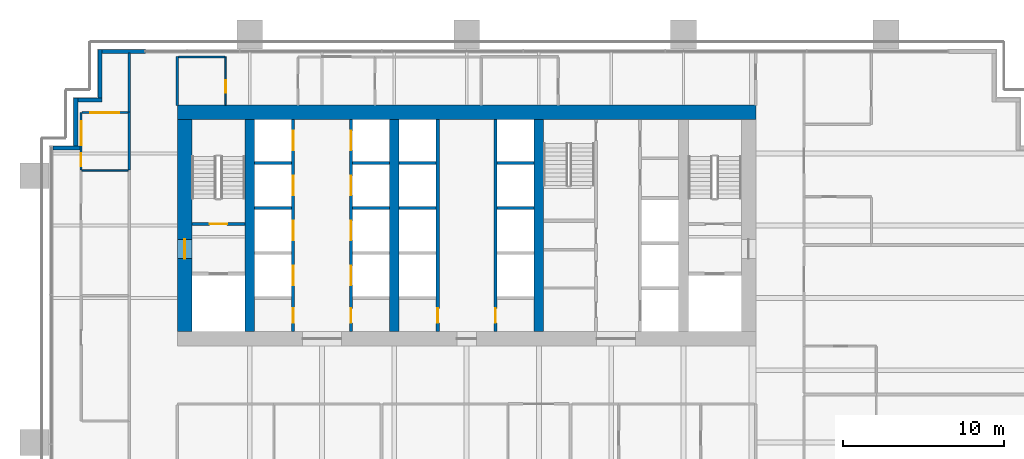
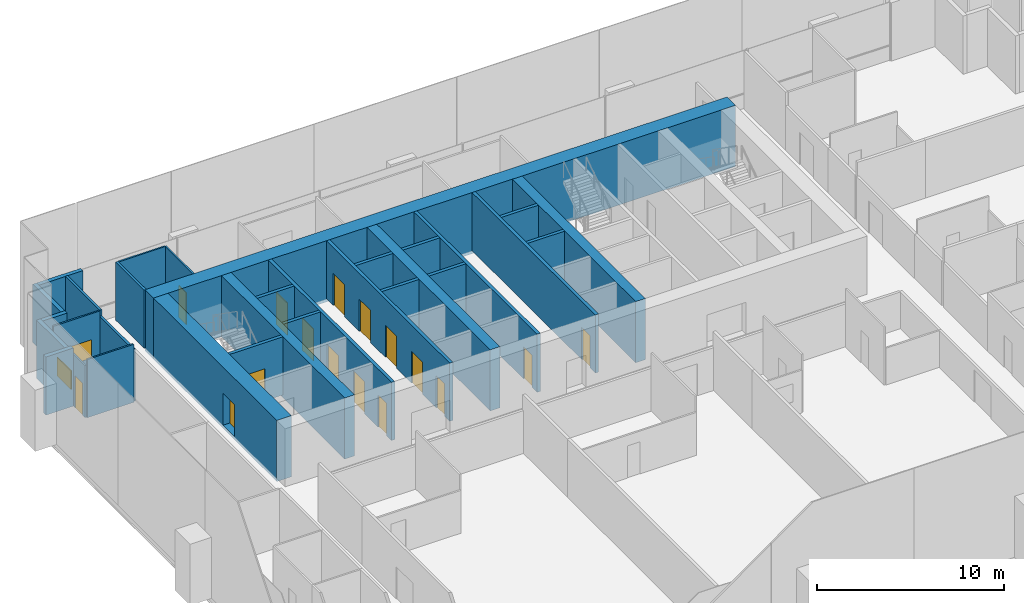
# One storey, part 14 of 19: 31 walls, 16 doors, 2 windows, 18 openings.
"""IFC4 building model written with IfcOpenShell, lengths in metres."""

from ifc_helpers import new_model, si_unit, direction, frame, frame_2d, origin, place, context, subcontext, project, spatial, rectangle, extrude, material, layer, layer_set, type_object, element, fill, save


model = new_model("IFC4")

# Units and contexts
model_context = context("Model", 3, precision=1e-05, world=origin(), true_north=direction((0.0, 1.0)))
body_context = subcontext(model_context, "Body", "Model", "MODEL_VIEW")
ifc_project = project(units=[si_unit("LENGTHUNIT", "METRE"), si_unit("AREAUNIT", "SQUARE_METRE"), si_unit("VOLUMEUNIT", "CUBIC_METRE"), si_unit("PLANEANGLEUNIT", "RADIAN"), si_unit("MASSUNIT", "GRAM", prefix="KILO")], contexts=[model_context])

# Site, building, storey
site_placement = place(None, origin())
site = spatial("IfcSite", under=ifc_project, at=site_placement, CompositionType="ELEMENT")
building_placement = place(site_placement, origin())
building = spatial("IfcBuilding", under=site, at=building_placement, Name="Rattan Terrace Tower", CompositionType="ELEMENT")
storey_placement = place(building_placement, frame((0.0, 0.0, 103.699951171875)))
storey = spatial("IfcBuildingStorey", under=building, at=storey_placement, Name="L23", CompositionType="ELEMENT", Elevation=103.699951171875)

# Wall, opening, door
ifc_material_1 = material(Name="Gypsum board partition")
ifc_layer_1 = layer(ifc_material_1, 0.199951171875)
ifc_layer_set_1 = layer_set([ifc_layer_1], Name="Core partition 200")
wall_type_1 = type_object("IfcWallType", Name="Core partition 200", PredefinedType="PARTITIONING", material=ifc_layer_set_1)
wall_1_placement = place(storey_placement, frame((-17.10009765625, 0.10009765625, 0.0), z_axis=(0.0, 0.0, 1.0), x_axis=(1.0, 0.0, 0.0)))
wall_1 = element("IfcWall", 1, at=wall_1_placement, inside=storey, type_object=wall_type_1, Name="Stair enclosure wall", PredefinedType="PARTITIONING", context=body_context, shape_type="SweptSolid", body=[
    extrude(rectangle(XDim=3.300048828125, YDim=0.199951171875, at=frame_2d((1.64990234375, 0.0))), origin(), (0.0, 0.0, 1.0), 3.800048828125),
])
opening_1_placement = place(wall_1_placement, frame((1.10009765625, 0.0, 0.0)))
opening_1 = element("IfcOpeningElement", 2, at=opening_1_placement, cuts=wall_1, Name="Opening L23-D002", PredefinedType="OPENING", context=body_context, shape_type="SweptSolid", body=[
    extrude(rectangle(XDim=1.10009765625, YDim=2.10009765625, at=frame_2d((0.550048828125, 1.050048828125))), frame((0.0, 0.110595703125, 0.0), z_axis=(0.0, -1.0, 0.0), x_axis=(1.0, 0.0, 0.0)), (0.0, 0.0, 1.0), 0.220947265625),
])
ifc_material_2 = material(Name="Hollow-metal fire door leaf")
door_type_1 = type_object("IfcDoorType", Name="Core stair door 1100", OperationType="NOTDEFINED", PredefinedType="DOOR", material=ifc_material_2)
door_1_placement = place(opening_1_placement, origin())
door_1 = element("IfcDoor", 3, at=door_1_placement, inside=storey, type_object=door_type_1, Name="Door L23-D002", OperationType="SINGLE_SWING_RIGHT", OverallHeight=2.10009765625, OverallWidth=1.10009765625, PredefinedType="DOOR", context=body_context, shape_type="SweptSolid", body=[
    extrude(rectangle(XDim=1.10009765625, YDim=2.10009765625, at=frame_2d((0.550048828125, 1.050048828125))), frame((0.0, 0.02490234375, 0.0), z_axis=(0.0, -1.0, 0.0), x_axis=(1.0, 0.0, 0.0)), (0.0, 0.0, 1.0), 0.050048828125),
])
fill(opening_1, door_1)

# Wall
ifc_material_3 = material(Name="Concrete C70/85", Category="concrete")
ifc_layer_2 = layer(ifc_material_3, 0.89990234375)
ifc_layer_set_2 = layer_set([ifc_layer_2], Name="Core ring wall 900 C70/85")
wall_type_2 = type_object("IfcWallType", Name="Core ring wall 900 C70/85", PredefinedType="SHEAR", material=ifc_layer_set_2)
wall_2_placement = place(storey_placement, frame((-18.0, 7.050048828125, -0.199951171875), z_axis=(0.0, 0.0, 1.0), x_axis=(1.0, 0.0, 0.0)))
element("IfcWall", 4, at=wall_2_placement, inside=storey, type_object=wall_type_2, Name="Rear core wall north", PredefinedType="SHEAR", context=body_context, shape_type="SweptSolid", body=[
    extrude(rectangle(XDim=36.0, YDim=0.89990234375, at=frame_2d((18.0, 0.0))), origin(), (0.0, 0.0, 1.0), 4.0),
])

# Wall, opening, door
wall_3_placement = place(storey_placement, frame((-17.550048828125, -6.60009765625, -0.199951171875), z_axis=(0.0, 0.0, 1.0), x_axis=(0.0, 1.0, 0.0)))
wall_3 = element("IfcWall", 5, at=wall_3_placement, inside=storey, type_object=wall_type_2, Name="Rear core wall west", PredefinedType="SHEAR", context=body_context, shape_type="SweptSolid", body=[
    extrude(rectangle(XDim=13.2001953125, YDim=0.89990234375, at=frame_2d((6.60009765625, 0.0))), origin(), (0.0, 0.0, 1.0), 4.0),
])
opening_2_placement = place(wall_3_placement, frame((4.550048828125, 0.0, 0.199951171875)))
opening_2 = element("IfcOpeningElement", 6, at=opening_2_placement, cuts=wall_3, Name="Opening L23-D001", PredefinedType="OPENING", context=body_context, shape_type="SweptSolid", body=[
    extrude(rectangle(XDim=1.199951171875, YDim=2.10009765625, at=frame_2d((0.60009765625, 1.050048828125))), frame((0.0, 0.46044921875, 0.0), z_axis=(0.0, -1.0, 0.0), x_axis=(1.0, 0.0, 0.0)), (0.0, 0.0, 1.0), 0.9208984375),
])
ifc_material_4 = material(Name="Hollow-metal fire door leaf")
door_type_2 = type_object("IfcDoorType", Name="Core fire-fighting lobby door 1200", OperationType="NOTDEFINED", PredefinedType="DOOR", material=ifc_material_4)
door_2_placement = place(opening_2_placement, origin())
door_2 = element("IfcDoor", 7, at=door_2_placement, inside=storey, type_object=door_type_2, Name="Door L23-D001", OperationType="SINGLE_SWING_LEFT", OverallHeight=2.10009765625, OverallWidth=1.199951171875, PredefinedType="DOOR", context=body_context, shape_type="SweptSolid", body=[
    extrude(rectangle(XDim=1.199951171875, YDim=2.10009765625, at=frame_2d((0.60009765625, 1.050048828125))), frame((0.0, 0.02490234375, 0.0), z_axis=(0.0, -1.0, 0.0), x_axis=(1.0, 0.0, 0.0)), (0.0, 0.0, 1.0), 0.050048828125),
])
fill(opening_2, door_2)

# Walls
ifc_material_5 = material(Name="Concrete C70/85", Category="concrete")
ifc_layer_3 = layer(ifc_material_5, 0.60009765625)
ifc_layer_set_3 = layer_set([ifc_layer_3], Name="Core spine wall 600 C70/85")
wall_type_3 = type_object("IfcWallType", Name="Core spine wall 600 C70/85", PredefinedType="SHEAR", material=ifc_layer_set_3)
for number, where, z_axis, x_axis, name in (
    (8, (-13.5, -6.60009765625, -0.199951171875), (0.0, 0.0, 1.0), (0.0, 1.0, 0.0), "Core spine wall 1"),
    (9, (-4.5, -6.60009765625, -0.199951171875), (0.0, 0.0, 1.0), (0.0, 1.0, 0.0), "Core spine wall 2"),
    (10, (4.5, -6.60009765625, -0.199951171875), (0.0, 0.0, 1.0), (0.0, 1.0, 0.0), "Core spine wall 3"),
):
    element("IfcWall", number, at=place(storey_placement, frame(where, z_axis=z_axis, x_axis=x_axis)), inside=storey, type_object=wall_type_3, Name=name, PredefinedType="SHEAR", context=body_context, shape_type="SweptSolid", body=[
        extrude(rectangle(XDim=13.2001953125, YDim=0.60009765625, at=frame_2d((6.60009765625, 0.0))), origin(), (0.0, 0.0, 1.0), 4.0),
    ])
ifc_material_6 = material(Name="Insulated aluminium-clad stud wall", Category="aluminium")
ifc_layer_4 = layer(ifc_material_6, 0.25)
ifc_layer_set_4 = layer_set([ifc_layer_4], Name="Facade Riser Wall 250")
wall_type_4 = type_object("IfcWallType", Name="Facade Riser Wall 250", PredefinedType="SOLIDWALL", material=ifc_layer_set_4)
wall_4_placement = place(storey_placement, frame((-20.0, 10.830078125, 0.0), z_axis=(0.0, 0.0, 1.0), x_axis=(-1.0, 0.0, 0.0)))
element("IfcWall", 11, at=wall_4_placement, inside=storey, type_object=wall_type_4, Name="Riser wall L23-11", PredefinedType="SOLIDWALL", context=body_context, shape_type="SweptSolid", body=[
    extrude(rectangle(XDim=2.705078125, YDim=0.25, at=frame_2d((1.3525390625, 0.0))), origin(), (0.0, 0.0, 1.0), 3.800048828125),
])
wall_5_placement = place(storey_placement, frame((-22.830078125, 10.955078125, 0.0), z_axis=(0.0, 0.0, 1.0), x_axis=(0.0, -1.0, 0.0)))
element("IfcWall", 12, at=wall_5_placement, inside=storey, type_object=wall_type_4, Name="Riser wall L23-12", PredefinedType="SOLIDWALL", context=body_context, shape_type="SweptSolid", body=[
    extrude(rectangle(XDim=3.0, YDim=0.25, at=frame_2d((1.5, 0.0))), origin(), (0.0, 0.0, 1.0), 3.800048828125),
])
wall_6_placement = place(storey_placement, frame((-22.705078125, 7.830078125, 0.0), z_axis=(0.0, 0.0, 1.0), x_axis=(-1.0, 0.0, 0.0)))
element("IfcWall", 13, at=wall_6_placement, inside=storey, type_object=wall_type_4, Name="Riser wall L23-13", PredefinedType="SOLIDWALL", context=body_context, shape_type="SweptSolid", body=[
    extrude(rectangle(XDim=1.5, YDim=0.25, at=frame_2d((0.75, 0.0))), origin(), (0.0, 0.0, 1.0), 3.800048828125),
])
wall_7_placement = place(storey_placement, frame((-24.330078125, 7.955078125, 0.0), z_axis=(0.0, 0.0, 1.0), x_axis=(0.0, -1.0, 0.0)))
element("IfcWall", 14, at=wall_7_placement, inside=storey, type_object=wall_type_4, Name="Riser wall L23-14", PredefinedType="SOLIDWALL", context=body_context, shape_type="SweptSolid", body=[
    extrude(rectangle(XDim=3.0, YDim=0.25, at=frame_2d((1.5, 0.0))), origin(), (0.0, 0.0, 1.0), 3.800048828125),
])
wall_8_placement = place(storey_placement, frame((-24.050048828125, 4.830078125, 0.0), z_axis=(0.0, 0.0, 1.0), x_axis=(-1.0, 0.0, 0.0)))
element("IfcWall", 15, at=wall_8_placement, inside=storey, type_object=wall_type_4, Name="Riser wall L23-15", PredefinedType="SOLIDWALL", context=body_context, shape_type="SweptSolid", body=[
    extrude(rectangle(XDim=1.699951171875, YDim=0.25, at=frame_2d((0.85009765625, 0.0))), origin(), (0.0, 0.0, 1.0), 3.800048828125),
])

# Wall, openings, door, window
ifc_material_7 = material(Name="Gypsum board partition on steel studs", Category="steel")
ifc_layer_5 = layer(ifc_material_7, 0.10009765625)
ifc_layer_set_5 = layer_set([ifc_layer_5], Name="Floors Partition 100")
wall_type_5 = type_object("IfcWallType", Name="Floors Partition 100", PredefinedType="PARTITIONING", material=ifc_layer_set_5)
wall_9_placement = place(storey_placement, frame((-24.0, 7.0400390625, 0.0), z_axis=(0.0, 0.0, 1.0), x_axis=(0.0, -1.0, 0.0)))
wall_9 = element("IfcWall", 16, at=wall_9_placement, inside=storey, type_object=wall_type_5, Name="pt-L23-039", PredefinedType="PARTITIONING", context=body_context, shape_type="SweptSolid", body=[
    extrude(rectangle(XDim=3.580078125, YDim=0.10009765625, at=frame_2d((1.7900390625, 0.0))), origin(), (0.0, 0.0, 1.0), 3.400146484375),
])
opening_3_placement = place(wall_9_placement, frame((2.530029296875, 0.0, 0.0)))
opening_3 = element("IfcOpeningElement", 17, at=opening_3_placement, cuts=wall_9, Name="Opening L23-D105", PredefinedType="OPENING", context=body_context, shape_type="SweptSolid", body=[
    extrude(rectangle(XDim=0.800048828125, YDim=2.10009765625, at=frame_2d((0.39990234375, 1.050048828125))), frame((0.0, 0.060546875, 0.0), z_axis=(0.0, -1.0, 0.0), x_axis=(1.0, 0.0, 0.0)), (0.0, 0.0, 1.0), 0.12109375),
])
opening_4_placement = place(wall_9_placement, frame((0.5400390625, 0.0, 0.89990234375)))
opening_4 = element("IfcOpeningElement", 18, at=opening_4_placement, cuts=wall_9, Name="Opening L23-W100", PredefinedType="OPENING", context=body_context, shape_type="SweptSolid", body=[
    extrude(rectangle(XDim=1.5, YDim=1.199951171875, at=frame_2d((0.75, 0.60009765625))), frame((0.0, 0.060546875, 0.0), z_axis=(0.0, -1.0, 0.0), x_axis=(1.0, 0.0, 0.0)), (0.0, 0.0, 1.0), 0.12109375),
])
ifc_material_8 = material(Name="Solid core timber door, painted", Category="wood")
door_type_3 = type_object("IfcDoorType", Name="Floors Store Door 800x2100", OperationType="NOTDEFINED", PredefinedType="DOOR", material=ifc_material_8)
door_3_placement = place(opening_3_placement, origin())
door_3 = element("IfcDoor", 19, at=door_3_placement, inside=storey, type_object=door_type_3, Name="d-L23-105", OperationType="SINGLE_SWING_RIGHT", OverallHeight=2.10009765625, OverallWidth=0.800048828125, PredefinedType="DOOR", context=body_context, shape_type="SweptSolid", body=[
    extrude(rectangle(XDim=0.800048828125, YDim=2.10009765625, at=frame_2d((0.39990234375, 1.050048828125))), frame((0.0, 0.02490234375, 0.0), z_axis=(0.0, -1.0, 0.0), x_axis=(1.0, 0.0, 0.0)), (0.0, 0.0, 1.0), 0.050048828125),
])
fill(opening_3, door_3)
ifc_material_9 = material(Name="Glass, clear, fixed in aluminium frame", Category="aluminium")
window_type_1 = type_object("IfcWindowType", Name="Interior Vision Window 1500x1200", PartitioningType="SINGLE_PANEL", PredefinedType="WINDOW", material=ifc_material_9)
window_1_placement = place(opening_4_placement, origin())
window_1 = element("IfcWindow", 20, at=window_1_placement, inside=storey, type_object=window_type_1, Name="w-L23-100", OverallHeight=1.199951171875, OverallWidth=1.5, PartitioningType="SINGLE_PANEL", PredefinedType="WINDOW", context=body_context, shape_type="SweptSolid", body=[
    extrude(rectangle(XDim=1.5, YDim=1.199951171875, at=frame_2d((0.75, 0.60009765625))), frame((0.0, 0.030029296875, 0.0), z_axis=(0.0, -1.0, 0.0), x_axis=(1.0, 0.0, 0.0)), (0.0, 0.0, 1.0), 0.06005859375),
])
fill(opening_4, window_1)

# Wall, opening, window
wall_10_placement = place(storey_placement, frame((-21.074951171875, 7.0400390625, 0.0), z_axis=(0.0, 0.0, 1.0), x_axis=(-1.0, 0.0, 0.0)))
wall_10 = element("IfcWall", 21, at=wall_10_placement, inside=storey, type_object=wall_type_5, Name="pt-L23-040", PredefinedType="PARTITIONING", context=body_context, shape_type="SweptSolid", body=[
    extrude(rectangle(XDim=2.875, YDim=0.10009765625, at=frame_2d((1.4375, 0.0))), origin(), (0.0, 0.0, 1.0), 3.800048828125),
])
opening_5_placement = place(wall_10_placement, frame((0.537109375, 0.0, 0.89990234375)))
opening_5 = element("IfcOpeningElement", 22, at=opening_5_placement, cuts=wall_10, Name="Opening L23-W101", PredefinedType="OPENING", context=body_context, shape_type="SweptSolid", body=[
    extrude(rectangle(XDim=1.800048828125, YDim=1.199951171875, at=frame_2d((0.89990234375, 0.60009765625))), frame((0.0, 0.060546875, 0.0), z_axis=(0.0, -1.0, 0.0), x_axis=(1.0, 0.0, 0.0)), (0.0, 0.0, 1.0), 0.12109375),
])
ifc_material_10 = material(Name="Glass, clear, fixed in aluminium frame", Category="aluminium")
window_type_2 = type_object("IfcWindowType", Name="Interior Vision Window 1800x1200", PartitioningType="SINGLE_PANEL", PredefinedType="WINDOW", material=ifc_material_10)
window_2_placement = place(opening_5_placement, origin())
window_2 = element("IfcWindow", 23, at=window_2_placement, inside=storey, type_object=window_type_2, Name="w-L23-101", OverallHeight=1.199951171875, OverallWidth=1.800048828125, PartitioningType="SINGLE_PANEL", PredefinedType="WINDOW", context=body_context, shape_type="SweptSolid", body=[
    extrude(rectangle(XDim=1.800048828125, YDim=1.199951171875, at=frame_2d((0.89990234375, 0.60009765625))), frame((0.0, 0.030029296875, 0.0), z_axis=(0.0, -1.0, 0.0), x_axis=(1.0, 0.0, 0.0)), (0.0, 0.0, 1.0), 0.06005859375),
])
fill(opening_5, window_2)

# Walls
for number, where, z_axis, x_axis, name in (
    (24, (-23.949951171875, 3.43994140625, 0.0), (0.0, 0.0, 1.0), (1.0, 0.0, 0.0), "pt-L23-043"),
    (25, (-15.050048828125, 10.5, 0.0), (0.0, 0.0, 1.0), (-1.0, 0.0, 0.0), "pt-L23-062"),
):
    element("IfcWall", number, at=place(storey_placement, frame(where, z_axis=z_axis, x_axis=x_axis)), inside=storey, type_object=wall_type_5, Name=name, PredefinedType="PARTITIONING", context=body_context, shape_type="SweptSolid", body=[
        extrude(rectangle(XDim=2.875, YDim=0.10009765625, at=frame_2d((1.4375, 0.0))), origin(), (0.0, 0.0, 1.0), 3.800048828125),
    ])

# Wall, opening, door
wall_11_placement = place(storey_placement, frame((-15.0, 7.5, 0.0), z_axis=(0.0, 0.0, 1.0), x_axis=(0.0, 1.0, 0.0)))
wall_11 = element("IfcWall", 26, at=wall_11_placement, inside=storey, type_object=wall_type_5, Name="pt-L23-063", PredefinedType="PARTITIONING", context=body_context, shape_type="SweptSolid", body=[
    extrude(rectangle(XDim=3.0, YDim=0.10009765625, at=frame_2d((1.5, 0.0))), origin(), (0.0, 0.0, 1.0), 3.800048828125),
])
opening_6_placement = place(wall_11_placement, frame((0.760009765625, 0.0, 0.0)))
opening_6 = element("IfcOpeningElement", 27, at=opening_6_placement, cuts=wall_11, Name="Opening L23-D117", PredefinedType="OPENING", context=body_context, shape_type="SweptSolid", body=[
    extrude(rectangle(XDim=0.800048828125, YDim=2.10009765625, at=frame_2d((0.39990234375, 1.050048828125))), frame((0.0, 0.060546875, 0.0), z_axis=(0.0, -1.0, 0.0), x_axis=(1.0, 0.0, 0.0)), (0.0, 0.0, 1.0), 0.12109375),
])
door_4_placement = place(opening_6_placement, origin())
door_4 = element("IfcDoor", 28, at=door_4_placement, inside=storey, type_object=door_type_3, Name="d-L23-117", OperationType="SINGLE_SWING_LEFT", OverallHeight=2.10009765625, OverallWidth=0.800048828125, PredefinedType="DOOR", context=body_context, shape_type="SweptSolid", body=[
    extrude(rectangle(XDim=0.800048828125, YDim=2.10009765625, at=frame_2d((0.39990234375, 1.050048828125))), frame((0.0, 0.02490234375, 0.0), z_axis=(0.0, -1.0, 0.0), x_axis=(1.0, 0.0, 0.0)), (0.0, 0.0, 1.0), 0.050048828125),
])
fill(opening_6, door_4)

# Walls
ifc_material_11 = material(Name="Gypsum board partition on steel studs, fire rated", Category="steel")
ifc_layer_6 = layer(ifc_material_11, 0.14990234375)
ifc_layer_set_6 = layer_set([ifc_layer_6], Name="Floors Tenancy Wall 150")
wall_type_6 = type_object("IfcWallType", Name="Floors Tenancy Wall 150", PredefinedType="PARTITIONING", material=ifc_layer_set_6)
wall_12_placement = place(storey_placement, frame((-21.0, 7.06005859375, 0.0), z_axis=(0.0, 0.0, 1.0), x_axis=(0.0, 1.0, 0.0)))
element("IfcWall", 29, at=wall_12_placement, inside=storey, type_object=wall_type_6, Name="pt-L23-001", PredefinedType="PARTITIONING", context=body_context, shape_type="SweptSolid", body=[
    extrude(rectangle(XDim=3.679931640625, YDim=0.14990234375, at=frame_2d((1.83984375, 0.0))), origin(), (0.0, 0.0, 1.0), 3.800048828125),
])
wall_13_placement = place(storey_placement, frame((-21.0, 3.4599609375, 0.0), z_axis=(0.0, 0.0, 1.0), x_axis=(0.0, 1.0, 0.0)))
element("IfcWall", 30, at=wall_13_placement, inside=storey, type_object=wall_type_6, Name="pt-L23-008", PredefinedType="PARTITIONING", context=body_context, shape_type="SweptSolid", body=[
    extrude(rectangle(XDim=3.60009765625, YDim=0.14990234375, at=frame_2d((1.800048828125, 0.0))), origin(), (0.0, 0.0, 1.0), 3.400146484375),
])
wall_14_placement = place(storey_placement, frame((-18.0, 10.52001953125, 0.0), z_axis=(0.0, 0.0, 1.0), x_axis=(0.0, -1.0, 0.0)))
element("IfcWall", 31, at=wall_14_placement, inside=storey, type_object=wall_type_6, Name="pt-L23-020", PredefinedType="PARTITIONING", context=body_context, shape_type="SweptSolid", body=[
    extrude(rectangle(XDim=3.0400390625, YDim=0.14990234375, at=frame_2d((1.52001953125, 0.0))), origin(), (0.0, 0.0, 1.0), 3.800048828125),
])

# Wall, openings, doors
ifc_material_12 = material(Name="Gypsum shaft wall system")
ifc_layer_7 = layer(ifc_material_12, 0.199951171875)
ifc_layer_set_7 = layer_set([ifc_layer_7], Name="Lift shaft wall 200")
wall_type_7 = type_object("IfcWallType", Name="Lift shaft wall 200", PredefinedType="PARTITIONING", material=ifc_layer_set_7)
wall_15_placement = place(storey_placement, frame((-10.800048828125, -6.60009765625, 0.0), z_axis=(0.0, 0.0, 1.0), x_axis=(0.0, 1.0, 0.0)))
wall_15 = element("IfcWall", 32, at=wall_15_placement, inside=storey, type_object=wall_type_7, Name="Lift shaft front wall", PredefinedType="PARTITIONING", context=body_context, shape_type="SweptSolid", body=[
    extrude(rectangle(XDim=13.2001953125, YDim=0.199951171875, at=frame_2d((6.60009765625, 0.0))), origin(), (0.0, 0.0, 1.0), 3.800048828125),
])
opening_7_placement = place(wall_15_placement, frame((0.550048828125, 0.0, 0.0)))
opening_7 = element("IfcOpeningElement", 33, at=opening_7_placement, cuts=wall_15, Name="Opening L23-D005", PredefinedType="OPENING", context=body_context, shape_type="SweptSolid", body=[
    extrude(rectangle(XDim=0.89990234375, YDim=2.10009765625, at=frame_2d((0.449951171875, 1.050048828125))), frame((0.0, 0.110595703125, 0.0), z_axis=(0.0, -1.0, 0.0), x_axis=(1.0, 0.0, 0.0)), (0.0, 0.0, 1.0), 0.220947265625),
])
opening_8_placement = place(wall_15_placement, frame((2.89990234375, 0.0, 0.0)))
opening_8 = element("IfcOpeningElement", 34, at=opening_8_placement, cuts=wall_15, Name="Opening L23-LD-LR1", PredefinedType="OPENING", context=body_context, shape_type="SweptSolid", body=[
    extrude(rectangle(XDim=1.199951171875, YDim=2.10009765625, at=frame_2d((0.60009765625, 1.050048828125))), frame((0.0, 0.110595703125, 0.0), z_axis=(0.0, -1.0, 0.0), x_axis=(1.0, 0.0, 0.0)), (0.0, 0.0, 1.0), 0.220947265625),
])
opening_9_placement = place(wall_15_placement, frame((5.699951171875, 0.0, 0.0)))
opening_9 = element("IfcOpeningElement", 35, at=opening_9_placement, cuts=wall_15, Name="Opening L23-LD-LR2", PredefinedType="OPENING", context=body_context, shape_type="SweptSolid", body=[
    extrude(rectangle(XDim=1.199951171875, YDim=2.10009765625, at=frame_2d((0.60009765625, 1.050048828125))), frame((0.0, 0.110595703125, 0.0), z_axis=(0.0, -1.0, 0.0), x_axis=(1.0, 0.0, 0.0)), (0.0, 0.0, 1.0), 0.220947265625),
])
opening_10_placement = place(wall_15_placement, frame((8.5, 0.0, 0.0)))
opening_10 = element("IfcOpeningElement", 36, at=opening_10_placement, cuts=wall_15, Name="Opening L23-LD-LR3", PredefinedType="OPENING", context=body_context, shape_type="SweptSolid", body=[
    extrude(rectangle(XDim=1.199951171875, YDim=2.10009765625, at=frame_2d((0.60009765625, 1.050048828125))), frame((0.0, 0.110595703125, 0.0), z_axis=(0.0, -1.0, 0.0), x_axis=(1.0, 0.0, 0.0)), (0.0, 0.0, 1.0), 0.220947265625),
])
opening_11_placement = place(wall_15_placement, frame((11.300048828125, 0.0, 0.0)))
opening_11 = element("IfcOpeningElement", 37, at=opening_11_placement, cuts=wall_15, Name="Opening L23-LD-LR4", PredefinedType="OPENING", context=body_context, shape_type="SweptSolid", body=[
    extrude(rectangle(XDim=1.199951171875, YDim=2.10009765625, at=frame_2d((0.60009765625, 1.050048828125))), frame((0.0, 0.110595703125, 0.0), z_axis=(0.0, -1.0, 0.0), x_axis=(1.0, 0.0, 0.0)), (0.0, 0.0, 1.0), 0.220947265625),
])
ifc_material_13 = material(Name="Brushed stainless landing door panel")
door_type_4 = type_object("IfcDoorType", Name="Core lift landing door 1200", OperationType="DOUBLE_DOOR_SLIDING", PredefinedType="DOOR", material=ifc_material_13)
door_5_placement = place(opening_8_placement, origin())
door_5 = element("IfcDoor", 38, at=door_5_placement, inside=storey, type_object=door_type_4, Name="Door L23-LD-LR1", OperationType="DOUBLE_DOOR_SLIDING", OverallHeight=2.10009765625, OverallWidth=1.199951171875, PredefinedType="DOOR", context=body_context, shape_type="SweptSolid", body=[
    extrude(rectangle(XDim=1.199951171875, YDim=2.10009765625, at=frame_2d((0.60009765625, 1.050048828125))), frame((0.0, 0.02490234375, 0.0), z_axis=(0.0, -1.0, 0.0), x_axis=(1.0, 0.0, 0.0)), (0.0, 0.0, 1.0), 0.050048828125),
])
fill(opening_8, door_5)
door_6_placement = place(opening_9_placement, origin())
door_6 = element("IfcDoor", 39, at=door_6_placement, inside=storey, type_object=door_type_4, Name="Door L23-LD-LR2", OperationType="DOUBLE_DOOR_SLIDING", OverallHeight=2.10009765625, OverallWidth=1.199951171875, PredefinedType="DOOR", context=body_context, shape_type="SweptSolid", body=[
    extrude(rectangle(XDim=1.199951171875, YDim=2.10009765625, at=frame_2d((0.60009765625, 1.050048828125))), frame((0.0, 0.02490234375, 0.0), z_axis=(0.0, -1.0, 0.0), x_axis=(1.0, 0.0, 0.0)), (0.0, 0.0, 1.0), 0.050048828125),
])
fill(opening_9, door_6)
door_7_placement = place(opening_10_placement, origin())
door_7 = element("IfcDoor", 40, at=door_7_placement, inside=storey, type_object=door_type_4, Name="Door L23-LD-LR3", OperationType="DOUBLE_DOOR_SLIDING", OverallHeight=2.10009765625, OverallWidth=1.199951171875, PredefinedType="DOOR", context=body_context, shape_type="SweptSolid", body=[
    extrude(rectangle(XDim=1.199951171875, YDim=2.10009765625, at=frame_2d((0.60009765625, 1.050048828125))), frame((0.0, 0.02490234375, 0.0), z_axis=(0.0, -1.0, 0.0), x_axis=(1.0, 0.0, 0.0)), (0.0, 0.0, 1.0), 0.050048828125),
])
fill(opening_10, door_7)
door_8_placement = place(opening_11_placement, origin())
door_8 = element("IfcDoor", 41, at=door_8_placement, inside=storey, type_object=door_type_4, Name="Door L23-LD-LR4", OperationType="DOUBLE_DOOR_SLIDING", OverallHeight=2.10009765625, OverallWidth=1.199951171875, PredefinedType="DOOR", context=body_context, shape_type="SweptSolid", body=[
    extrude(rectangle(XDim=1.199951171875, YDim=2.10009765625, at=frame_2d((0.60009765625, 1.050048828125))), frame((0.0, 0.02490234375, 0.0), z_axis=(0.0, -1.0, 0.0), x_axis=(1.0, 0.0, 0.0)), (0.0, 0.0, 1.0), 0.050048828125),
])
fill(opening_11, door_8)
ifc_material_14 = material(Name="Hollow-metal fire door leaf")
door_type_5 = type_object("IfcDoorType", Name="Core riser door 900", OperationType="NOTDEFINED", PredefinedType="DOOR", material=ifc_material_14)
door_9_placement = place(opening_7_placement, origin())
door_9 = element("IfcDoor", 42, at=door_9_placement, inside=storey, type_object=door_type_5, Name="Door L23-D005", OperationType="SINGLE_SWING_LEFT", OverallHeight=2.10009765625, OverallWidth=0.89990234375, PredefinedType="DOOR", context=body_context, shape_type="SweptSolid", body=[
    extrude(rectangle(XDim=0.89990234375, YDim=2.10009765625, at=frame_2d((0.449951171875, 1.050048828125))), frame((0.0, 0.02490234375, 0.0), z_axis=(0.0, -1.0, 0.0), x_axis=(1.0, 0.0, 0.0)), (0.0, 0.0, 1.0), 0.050048828125),
])
fill(opening_7, door_9)

wall_16_placement = place(storey_placement, frame((-7.199951171875, -6.60009765625, 0.0), z_axis=(0.0, 0.0, 1.0), x_axis=(0.0, 1.0, 0.0)))
wall_16 = element("IfcWall", 43, at=wall_16_placement, inside=storey, type_object=wall_type_7, Name="Lift shaft front wall", PredefinedType="PARTITIONING", context=body_context, shape_type="SweptSolid", body=[
    extrude(rectangle(XDim=13.2001953125, YDim=0.199951171875, at=frame_2d((6.60009765625, 0.0))), origin(), (0.0, 0.0, 1.0), 3.800048828125),
])
opening_12_placement = place(wall_16_placement, frame((0.550048828125, 0.0, 0.0)))
opening_12 = element("IfcOpeningElement", 44, at=opening_12_placement, cuts=wall_16, Name="Opening L23-D006", PredefinedType="OPENING", context=body_context, shape_type="SweptSolid", body=[
    extrude(rectangle(XDim=0.89990234375, YDim=2.10009765625, at=frame_2d((0.449951171875, 1.050048828125))), frame((0.0, 0.110595703125, 0.0), z_axis=(0.0, -1.0, 0.0), x_axis=(1.0, 0.0, 0.0)), (0.0, 0.0, 1.0), 0.220947265625),
])
opening_13_placement = place(wall_16_placement, frame((2.89990234375, 0.0, 0.0)))
opening_13 = element("IfcOpeningElement", 45, at=opening_13_placement, cuts=wall_16, Name="Opening L23-LD-LR5", PredefinedType="OPENING", context=body_context, shape_type="SweptSolid", body=[
    extrude(rectangle(XDim=1.199951171875, YDim=2.10009765625, at=frame_2d((0.60009765625, 1.050048828125))), frame((0.0, 0.110595703125, 0.0), z_axis=(0.0, -1.0, 0.0), x_axis=(1.0, 0.0, 0.0)), (0.0, 0.0, 1.0), 0.220947265625),
])
opening_14_placement = place(wall_16_placement, frame((5.699951171875, 0.0, 0.0)))
opening_14 = element("IfcOpeningElement", 46, at=opening_14_placement, cuts=wall_16, Name="Opening L23-LD-LR6", PredefinedType="OPENING", context=body_context, shape_type="SweptSolid", body=[
    extrude(rectangle(XDim=1.199951171875, YDim=2.10009765625, at=frame_2d((0.60009765625, 1.050048828125))), frame((0.0, 0.110595703125, 0.0), z_axis=(0.0, -1.0, 0.0), x_axis=(1.0, 0.0, 0.0)), (0.0, 0.0, 1.0), 0.220947265625),
])
opening_15_placement = place(wall_16_placement, frame((8.5, 0.0, 0.0)))
opening_15 = element("IfcOpeningElement", 47, at=opening_15_placement, cuts=wall_16, Name="Opening L23-LD-LR7", PredefinedType="OPENING", context=body_context, shape_type="SweptSolid", body=[
    extrude(rectangle(XDim=1.199951171875, YDim=2.10009765625, at=frame_2d((0.60009765625, 1.050048828125))), frame((0.0, 0.110595703125, 0.0), z_axis=(0.0, -1.0, 0.0), x_axis=(1.0, 0.0, 0.0)), (0.0, 0.0, 1.0), 0.220947265625),
])
opening_16_placement = place(wall_16_placement, frame((11.300048828125, 0.0, 0.0)))
opening_16 = element("IfcOpeningElement", 48, at=opening_16_placement, cuts=wall_16, Name="Opening L23-LD-LR8", PredefinedType="OPENING", context=body_context, shape_type="SweptSolid", body=[
    extrude(rectangle(XDim=1.199951171875, YDim=2.10009765625, at=frame_2d((0.60009765625, 1.050048828125))), frame((0.0, 0.110595703125, 0.0), z_axis=(0.0, -1.0, 0.0), x_axis=(1.0, 0.0, 0.0)), (0.0, 0.0, 1.0), 0.220947265625),
])
door_10_placement = place(opening_13_placement, origin())
door_10 = element("IfcDoor", 49, at=door_10_placement, inside=storey, type_object=door_type_4, Name="Door L23-LD-LR5", OperationType="DOUBLE_DOOR_SLIDING", OverallHeight=2.10009765625, OverallWidth=1.199951171875, PredefinedType="DOOR", context=body_context, shape_type="SweptSolid", body=[
    extrude(rectangle(XDim=1.199951171875, YDim=2.10009765625, at=frame_2d((0.60009765625, 1.050048828125))), frame((0.0, 0.02490234375, 0.0), z_axis=(0.0, -1.0, 0.0), x_axis=(1.0, 0.0, 0.0)), (0.0, 0.0, 1.0), 0.050048828125),
])
fill(opening_13, door_10)
door_11_placement = place(opening_14_placement, origin())
door_11 = element("IfcDoor", 50, at=door_11_placement, inside=storey, type_object=door_type_4, Name="Door L23-LD-LR6", OperationType="DOUBLE_DOOR_SLIDING", OverallHeight=2.10009765625, OverallWidth=1.199951171875, PredefinedType="DOOR", context=body_context, shape_type="SweptSolid", body=[
    extrude(rectangle(XDim=1.199951171875, YDim=2.10009765625, at=frame_2d((0.60009765625, 1.050048828125))), frame((0.0, 0.02490234375, 0.0), z_axis=(0.0, -1.0, 0.0), x_axis=(1.0, 0.0, 0.0)), (0.0, 0.0, 1.0), 0.050048828125),
])
fill(opening_14, door_11)
door_12_placement = place(opening_15_placement, origin())
door_12 = element("IfcDoor", 51, at=door_12_placement, inside=storey, type_object=door_type_4, Name="Door L23-LD-LR7", OperationType="DOUBLE_DOOR_SLIDING", OverallHeight=2.10009765625, OverallWidth=1.199951171875, PredefinedType="DOOR", context=body_context, shape_type="SweptSolid", body=[
    extrude(rectangle(XDim=1.199951171875, YDim=2.10009765625, at=frame_2d((0.60009765625, 1.050048828125))), frame((0.0, 0.02490234375, 0.0), z_axis=(0.0, -1.0, 0.0), x_axis=(1.0, 0.0, 0.0)), (0.0, 0.0, 1.0), 0.050048828125),
])
fill(opening_15, door_12)
door_13_placement = place(opening_16_placement, origin())
door_13 = element("IfcDoor", 52, at=door_13_placement, inside=storey, type_object=door_type_4, Name="Door L23-LD-LR8", OperationType="DOUBLE_DOOR_SLIDING", OverallHeight=2.10009765625, OverallWidth=1.199951171875, PredefinedType="DOOR", context=body_context, shape_type="SweptSolid", body=[
    extrude(rectangle(XDim=1.199951171875, YDim=2.10009765625, at=frame_2d((0.60009765625, 1.050048828125))), frame((0.0, 0.02490234375, 0.0), z_axis=(0.0, -1.0, 0.0), x_axis=(1.0, 0.0, 0.0)), (0.0, 0.0, 1.0), 0.050048828125),
])
fill(opening_16, door_13)
door_14_placement = place(opening_12_placement, origin())
door_14 = element("IfcDoor", 53, at=door_14_placement, inside=storey, type_object=door_type_5, Name="Door L23-D006", OperationType="SINGLE_SWING_RIGHT", OverallHeight=2.10009765625, OverallWidth=0.89990234375, PredefinedType="DOOR", context=body_context, shape_type="SweptSolid", body=[
    extrude(rectangle(XDim=0.89990234375, YDim=2.10009765625, at=frame_2d((0.449951171875, 1.050048828125))), frame((0.0, 0.02490234375, 0.0), z_axis=(0.0, -1.0, 0.0), x_axis=(1.0, 0.0, 0.0)), (0.0, 0.0, 1.0), 0.050048828125),
])
fill(opening_12, door_14)

# Walls
for number, where, z_axis, x_axis, name in (
    (54, (-13.199951171875, 1.10009765625, 0.0), (0.0, 0.0, 1.0), (1.0, 0.0, 0.0), "Lift shaft wall"),
    (55, (-13.199951171875, 3.89990234375, 0.0), (0.0, 0.0, 1.0), (1.0, 0.0, 0.0), "Lift shaft wall"),
    (56, (-7.10009765625, 1.10009765625, 0.0), (0.0, 0.0, 1.0), (1.0, 0.0, 0.0), "Lift shaft wall"),
    (57, (-7.10009765625, 3.89990234375, 0.0), (0.0, 0.0, 1.0), (1.0, 0.0, 0.0), "Lift shaft wall"),
):
    element("IfcWall", number, at=place(storey_placement, frame(where, z_axis=z_axis, x_axis=x_axis)), inside=storey, type_object=wall_type_7, Name=name, PredefinedType="PARTITIONING", context=body_context, shape_type="SweptSolid", body=[
        extrude(rectangle(XDim=2.300048828125, YDim=0.199951171875, at=frame_2d((1.14990234375, 0.0))), origin(), (0.0, 0.0, 1.0), 3.800048828125),
    ])

# Wall, opening, door
wall_17_placement = place(storey_placement, frame((-1.800048828125, -6.60009765625, 0.0), z_axis=(0.0, 0.0, 1.0), x_axis=(0.0, 1.0, 0.0)))
wall_17 = element("IfcWall", 58, at=wall_17_placement, inside=storey, type_object=wall_type_7, Name="Lift shaft front wall", PredefinedType="PARTITIONING", context=body_context, shape_type="SweptSolid", body=[
    extrude(rectangle(XDim=13.2001953125, YDim=0.199951171875, at=frame_2d((6.60009765625, 0.0))), origin(), (0.0, 0.0, 1.0), 3.800048828125),
])
opening_17_placement = place(wall_17_placement, frame((0.550048828125, 0.0, 0.0)))
opening_17 = element("IfcOpeningElement", 59, at=opening_17_placement, cuts=wall_17, Name="Opening L23-D008", PredefinedType="OPENING", context=body_context, shape_type="SweptSolid", body=[
    extrude(rectangle(XDim=0.89990234375, YDim=2.10009765625, at=frame_2d((0.449951171875, 1.050048828125))), frame((0.0, 0.110595703125, 0.0), z_axis=(0.0, -1.0, 0.0), x_axis=(1.0, 0.0, 0.0)), (0.0, 0.0, 1.0), 0.220947265625),
])
door_15_placement = place(opening_17_placement, origin())
door_15 = element("IfcDoor", 60, at=door_15_placement, inside=storey, type_object=door_type_5, Name="Door L23-D008", OperationType="SINGLE_SWING_LEFT", OverallHeight=2.10009765625, OverallWidth=0.89990234375, PredefinedType="DOOR", context=body_context, shape_type="SweptSolid", body=[
    extrude(rectangle(XDim=0.89990234375, YDim=2.10009765625, at=frame_2d((0.449951171875, 1.050048828125))), frame((0.0, 0.02490234375, 0.0), z_axis=(0.0, -1.0, 0.0), x_axis=(1.0, 0.0, 0.0)), (0.0, 0.0, 1.0), 0.050048828125),
])
fill(opening_17, door_15)

wall_18_placement = place(storey_placement, frame((1.800048828125, -6.60009765625, 0.0), z_axis=(0.0, 0.0, 1.0), x_axis=(0.0, 1.0, 0.0)))
wall_18 = element("IfcWall", 61, at=wall_18_placement, inside=storey, type_object=wall_type_7, Name="Lift shaft front wall", PredefinedType="PARTITIONING", context=body_context, shape_type="SweptSolid", body=[
    extrude(rectangle(XDim=13.2001953125, YDim=0.199951171875, at=frame_2d((6.60009765625, 0.0))), origin(), (0.0, 0.0, 1.0), 3.800048828125),
])
opening_18_placement = place(wall_18_placement, frame((0.550048828125, 0.0, 0.0)))
opening_18 = element("IfcOpeningElement", 62, at=opening_18_placement, cuts=wall_18, Name="Opening L23-D009", PredefinedType="OPENING", context=body_context, shape_type="SweptSolid", body=[
    extrude(rectangle(XDim=0.89990234375, YDim=2.10009765625, at=frame_2d((0.449951171875, 1.050048828125))), frame((0.0, 0.110595703125, 0.0), z_axis=(0.0, -1.0, 0.0), x_axis=(1.0, 0.0, 0.0)), (0.0, 0.0, 1.0), 0.220947265625),
])
door_16_placement = place(opening_18_placement, origin())
door_16 = element("IfcDoor", 63, at=door_16_placement, inside=storey, type_object=door_type_5, Name="Door L23-D009", OperationType="SINGLE_SWING_RIGHT", OverallHeight=2.10009765625, OverallWidth=0.89990234375, PredefinedType="DOOR", context=body_context, shape_type="SweptSolid", body=[
    extrude(rectangle(XDim=0.89990234375, YDim=2.10009765625, at=frame_2d((0.449951171875, 1.050048828125))), frame((0.0, 0.02490234375, 0.0), z_axis=(0.0, -1.0, 0.0), x_axis=(1.0, 0.0, 0.0)), (0.0, 0.0, 1.0), 0.050048828125),
])
fill(opening_18, door_16)

# Walls
for number, where, z_axis, x_axis, name in (
    (64, (-4.199951171875, 1.10009765625, 0.0), (0.0, 0.0, 1.0), (1.0, 0.0, 0.0), "Lift shaft wall"),
    (65, (-4.199951171875, 3.89990234375, 0.0), (0.0, 0.0, 1.0), (1.0, 0.0, 0.0), "Lift shaft wall"),
    (66, (1.89990234375, 1.10009765625, 0.0), (0.0, 0.0, 1.0), (1.0, 0.0, 0.0), "Lift shaft wall"),
    (67, (1.89990234375, 3.89990234375, 0.0), (0.0, 0.0, 1.0), (1.0, 0.0, 0.0), "Lift shaft wall"),
):
    element("IfcWall", number, at=place(storey_placement, frame(where, z_axis=z_axis, x_axis=x_axis)), inside=storey, type_object=wall_type_7, Name=name, PredefinedType="PARTITIONING", context=body_context, shape_type="SweptSolid", body=[
        extrude(rectangle(XDim=2.300048828125, YDim=0.199951171875, at=frame_2d((1.14990234375, 0.0))), origin(), (0.0, 0.0, 1.0), 3.800048828125),
    ])

save(model, "model.ifc")
